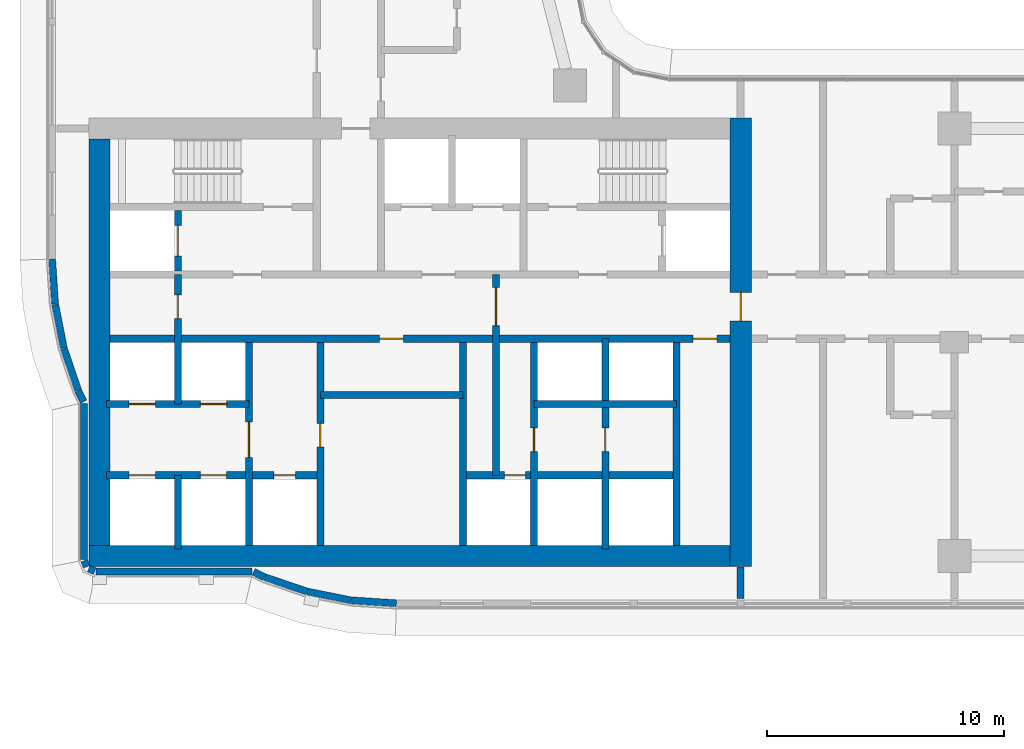
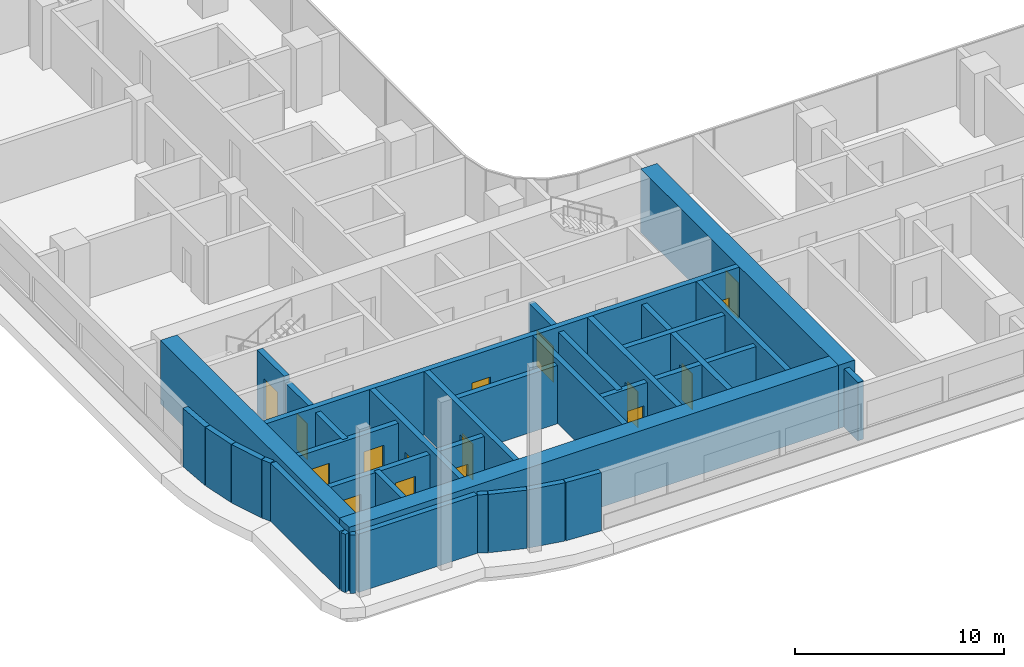
# One storey, part 17 of 36: 32 walls, 16 doors, 16 openings.
"""IFC4 building model written with IfcOpenShell, lengths in metres."""

from ifc_helpers import new_model, si_unit, direction, frame, frame_2d, origin, place, context, subcontext, project, spatial, rectangle, extrude, material, layer, layer_set, type_object, element, fill, save


model = new_model("IFC4")

# Units and contexts
model_context = context("Model", 3, precision=1e-05, world=origin(), true_north=direction((0.0, 1.0)))
body_context = subcontext(model_context, "Body", "Model", "MODEL_VIEW")
ifc_project = project(units=[si_unit("LENGTHUNIT", "METRE"), si_unit("AREAUNIT", "SQUARE_METRE"), si_unit("VOLUMEUNIT", "CUBIC_METRE"), si_unit("PLANEANGLEUNIT", "RADIAN"), si_unit("MASSUNIT", "GRAM", prefix="KILO")], contexts=[model_context])

# Site, building, storey
site_placement = place(None, origin())
site = spatial("IfcSite", under=ifc_project, at=site_placement, CompositionType="ELEMENT")
building_placement = place(site_placement, origin())
building = spatial("IfcBuilding", under=site, at=building_placement, Name="Ogive Portal Towers", CompositionType="ELEMENT")
storey_placement = place(building_placement, frame((0.0, 0.0, 52.0)))
storey = spatial("IfcBuildingStorey", under=building, at=storey_placement, Name="L11", CompositionType="ELEMENT", Elevation=52.0)

# Wall, opening, door
ifc_material_1 = material(Name="Concrete C60/75", Category="concrete")
ifc_layer_1 = layer(ifc_material_1, 0.300048828125)
ifc_layer_set_1 = layer_set([ifc_layer_1], Name="CORE WALL 300 C60")
wall_type_1 = type_object("IfcWallType", Name="CORE WALL 300 C60", PredefinedType="SHEAR", material=ifc_layer_set_1)
wall_1_placement = place(storey_placement, frame((37.800048828125, 21.949951171875, 0.0), z_axis=(0.0, 0.0, 1.0), x_axis=(0.0, 1.0, 0.0)))
wall_1 = element("IfcWall", 1, at=wall_1_placement, inside=storey, type_object=wall_type_1, Name="Core wall X1 L11", PredefinedType="SHEAR", context=body_context, shape_type="SweptSolid", body=[
    extrude(rectangle(XDim=8.550048828125, YDim=0.300048828125, at=frame_2d((4.27490234375, 0.0))), origin(), (0.0, 0.0, 1.0), 3.699951171875),
])
opening_1_placement = place(wall_1_placement, frame((3.699951171875, 0.0, 0.0)))
opening_1 = element("IfcOpeningElement", 2, at=opening_1_placement, cuts=wall_1, Name="Opening D03-002", PredefinedType="OPENING", context=body_context, shape_type="SweptSolid", body=[
    extrude(rectangle(XDim=1.5, YDim=2.10009765625, at=frame_2d((0.75, 1.050048828125))), frame((0.0, 0.16015625, 0.0), z_axis=(0.0, -1.0, 0.0), x_axis=(1.0, 0.0, 0.0)), (0.0, 0.0, 1.0), 0.320068359375),
])
ifc_material_2 = material(Name="Steel fire door", Category="steel")
door_type_1 = type_object("IfcDoorType", Name="DT-SWING-1500x2100-FD90S", OperationType="SINGLE_SWING_LEFT", PredefinedType="DOOR", material=ifc_material_2)
door_1_placement = place(opening_1_placement, origin())
door_1 = element("IfcDoor", 3, at=door_1_placement, inside=storey, type_object=door_type_1, Name="Door D03-002", OperationType="SINGLE_SWING_LEFT", OverallHeight=2.10009765625, OverallWidth=1.5, PredefinedType="DOOR", context=body_context, shape_type="SweptSolid", body=[
    extrude(rectangle(XDim=1.5, YDim=2.10009765625, at=frame_2d((0.75, 1.050048828125))), frame((0.0, 0.02490234375, 0.0), z_axis=(0.0, -1.0, 0.0), x_axis=(1.0, 0.0, 0.0)), (0.0, 0.0, 1.0), 0.050048828125),
])
fill(opening_1, door_1)

wall_2_placement = place(storey_placement, frame((40.800048828125, 21.949951171875, 0.0), z_axis=(0.0, 0.0, 1.0), x_axis=(0.0, 1.0, 0.0)))
wall_2 = element("IfcWall", 4, at=wall_2_placement, inside=storey, type_object=wall_type_1, Name="Core wall X2 L11", PredefinedType="SHEAR", context=body_context, shape_type="SweptSolid", body=[
    extrude(rectangle(XDim=8.550048828125, YDim=0.300048828125, at=frame_2d((4.27490234375, 0.0))), origin(), (0.0, 0.0, 1.0), 3.699951171875),
])
opening_2_placement = place(wall_2_placement, frame((4.137939453125, 0.0, 0.0)))
opening_2 = element("IfcOpeningElement", 5, at=opening_2_placement, cuts=wall_2, Name="Opening D03-022", PredefinedType="OPENING", context=body_context, shape_type="SweptSolid", body=[
    extrude(rectangle(XDim=1.0, YDim=2.10009765625, at=frame_2d((0.5, 1.050048828125))), frame((0.0, 0.16015625, 0.0), z_axis=(0.0, -1.0, 0.0), x_axis=(1.0, 0.0, 0.0)), (0.0, 0.0, 1.0), 0.320068359375),
])
door_type_2 = type_object("IfcDoorType", Name="DT-SWING-1000x2100-FD90S", OperationType="SINGLE_SWING_LEFT", PredefinedType="DOOR", material=ifc_material_2)
door_2_placement = place(opening_2_placement, origin())
door_2 = element("IfcDoor", 6, at=door_2_placement, inside=storey, type_object=door_type_2, Name="Door D03-022", OperationType="SINGLE_SWING_RIGHT", OverallHeight=2.10009765625, OverallWidth=1.0, PredefinedType="DOOR", context=body_context, shape_type="SweptSolid", body=[
    extrude(rectangle(XDim=1.0, YDim=2.10009765625, at=frame_2d((0.5, 1.050048828125))), frame((0.0, 0.02490234375, 0.0), z_axis=(0.0, -1.0, 0.0), x_axis=(1.0, 0.0, 0.0)), (0.0, 0.0, 1.0), 0.050048828125),
])
fill(opening_2, door_2)

# Wall
wall_3_placement = place(storey_placement, frame((46.800048828125, 21.949951171875, 0.0), z_axis=(0.0, 0.0, 1.0), x_axis=(0.0, 1.0, 0.0)))
element("IfcWall", 7, at=wall_3_placement, inside=storey, type_object=wall_type_1, Name="Core wall X3 L11", PredefinedType="SHEAR", context=body_context, shape_type="SweptSolid", body=[
    extrude(rectangle(XDim=8.550048828125, YDim=0.300048828125, at=frame_2d((4.27490234375, 0.0))), origin(), (0.0, 0.0, 1.0), 3.699951171875),
])

# Wall, opening, door
wall_4_placement = place(storey_placement, frame((49.800048828125, 21.949951171875, 0.0), z_axis=(0.0, 0.0, 1.0), x_axis=(0.0, 1.0, 0.0)))
wall_4 = element("IfcWall", 8, at=wall_4_placement, inside=storey, type_object=wall_type_1, Name="Core wall X4 L11", PredefinedType="SHEAR", context=body_context, shape_type="SweptSolid", body=[
    extrude(rectangle(XDim=8.550048828125, YDim=0.300048828125, at=frame_2d((4.27490234375, 0.0))), origin(), (0.0, 0.0, 1.0), 3.699951171875),
])
opening_3_placement = place(wall_4_placement, frame((3.949951171875, 0.0, 0.0)))
opening_3 = element("IfcOpeningElement", 9, at=opening_3_placement, cuts=wall_4, Name="Opening D03-023", PredefinedType="OPENING", context=body_context, shape_type="SweptSolid", body=[
    extrude(rectangle(XDim=1.0, YDim=2.10009765625, at=frame_2d((0.5, 1.050048828125))), frame((0.0, 0.16015625, 0.0), z_axis=(0.0, -1.0, 0.0), x_axis=(1.0, 0.0, 0.0)), (0.0, 0.0, 1.0), 0.320068359375),
])
door_3_placement = place(opening_3_placement, origin())
door_3 = element("IfcDoor", 10, at=door_3_placement, inside=storey, type_object=door_type_2, Name="Door D03-023", OperationType="SINGLE_SWING_LEFT", OverallHeight=2.10009765625, OverallWidth=1.0, PredefinedType="DOOR", context=body_context, shape_type="SweptSolid", body=[
    extrude(rectangle(XDim=1.0, YDim=2.10009765625, at=frame_2d((0.5, 1.050048828125))), frame((0.0, 0.02490234375, 0.0), z_axis=(0.0, -1.0, 0.0), x_axis=(1.0, 0.0, 0.0)), (0.0, 0.0, 1.0), 0.050048828125),
])
fill(opening_3, door_3)

# Wall
wall_5_placement = place(storey_placement, frame((55.800048828125, 21.949951171875, 0.0), z_axis=(0.0, 0.0, 1.0), x_axis=(0.0, 1.0, 0.0)))
element("IfcWall", 11, at=wall_5_placement, inside=storey, type_object=wall_type_1, Name="Core wall X5 L11", PredefinedType="SHEAR", context=body_context, shape_type="SweptSolid", body=[
    extrude(rectangle(XDim=8.550048828125, YDim=0.300048828125, at=frame_2d((4.27490234375, 0.0))), origin(), (0.0, 0.0, 1.0), 3.699951171875),
])

# Wall, openings, doors
wall_6_placement = place(storey_placement, frame((31.949951171875, 30.64990234375, 0.0), z_axis=(0.0, 0.0, 1.0), x_axis=(1.0, 0.0, 0.0)))
wall_6 = element("IfcWall", 12, at=wall_6_placement, inside=storey, type_object=wall_type_1, Name="Core wall Y1 L11", PredefinedType="SHEAR", context=body_context, shape_type="SweptSolid", body=[
    extrude(rectangle(XDim=26.10009765625, YDim=0.300048828125, at=frame_2d((13.050048828125, 0.0))), origin(), (0.0, 0.0, 1.0), 3.699951171875),
])
opening_4_placement = place(wall_6_placement, frame((24.550048828125, 0.0, 0.0)))
opening_4 = element("IfcOpeningElement", 13, at=opening_4_placement, cuts=wall_6, Name="Opening D03-010", PredefinedType="OPENING", context=body_context, shape_type="SweptSolid", body=[
    extrude(rectangle(XDim=1.0, YDim=2.10009765625, at=frame_2d((0.5, 1.050048828125))), frame((0.0, 0.16015625, 0.0), z_axis=(0.0, -1.0, 0.0), x_axis=(1.0, 0.0, 0.0)), (0.0, 0.0, 1.0), 0.320068359375),
])
opening_5_placement = place(wall_6_placement, frame((11.35009765625, 0.0, 0.0)))
opening_5 = element("IfcOpeningElement", 14, at=opening_5_placement, cuts=wall_6, Name="Opening D03-021", PredefinedType="OPENING", context=body_context, shape_type="SweptSolid", body=[
    extrude(rectangle(XDim=1.0, YDim=2.10009765625, at=frame_2d((0.5, 1.050048828125))), frame((0.0, 0.16015625, 0.0), z_axis=(0.0, -1.0, 0.0), x_axis=(1.0, 0.0, 0.0)), (0.0, 0.0, 1.0), 0.320068359375),
])
door_4_placement = place(opening_4_placement, origin())
door_4 = element("IfcDoor", 15, at=door_4_placement, inside=storey, type_object=door_type_2, Name="Door D03-010", OperationType="SINGLE_SWING_LEFT", OverallHeight=2.10009765625, OverallWidth=1.0, PredefinedType="DOOR", context=body_context, shape_type="SweptSolid", body=[
    extrude(rectangle(XDim=1.0, YDim=2.10009765625, at=frame_2d((0.5, 1.050048828125))), frame((0.0, 0.02490234375, 0.0), z_axis=(0.0, -1.0, 0.0), x_axis=(1.0, 0.0, 0.0)), (0.0, 0.0, 1.0), 0.050048828125),
])
fill(opening_4, door_4)
door_5_placement = place(opening_5_placement, origin())
door_5 = element("IfcDoor", 16, at=door_5_placement, inside=storey, type_object=door_type_2, Name="Riser access door D03-021", OperationType="SINGLE_SWING_LEFT", OverallHeight=2.10009765625, OverallWidth=1.0, PredefinedType="DOOR", context=body_context, shape_type="SweptSolid", body=[
    extrude(rectangle(XDim=1.0, YDim=2.10009765625, at=frame_2d((0.5, 1.050048828125))), frame((0.0, 0.02490234375, 0.0), z_axis=(0.0, -1.0, 0.0), x_axis=(1.0, 0.0, 0.0)), (0.0, 0.0, 1.0), 0.050048828125),
])
fill(opening_5, door_5)

# Wall, opening, door
wall_7_placement = place(storey_placement, frame((34.800048828125, 33.5, 0.0), z_axis=(0.0, 0.0, 1.0), x_axis=(0.0, 1.0, 0.0)))
wall_7 = element("IfcWall", 17, at=wall_7_placement, inside=storey, type_object=wall_type_1, Name="Core wall X8 L11", PredefinedType="SHEAR", context=body_context, shape_type="SweptSolid", body=[
    extrude(rectangle(XDim=2.550048828125, YDim=0.300048828125, at=frame_2d((1.27490234375, 0.0))), origin(), (0.0, 0.0, 1.0), 3.699951171875),
])
opening_6_placement = place(wall_7_placement, frame((0.625, 0.0, 0.0)))
opening_6 = element("IfcOpeningElement", 18, at=opening_6_placement, cuts=wall_7, Name="Opening D03-019", PredefinedType="OPENING", context=body_context, shape_type="SweptSolid", body=[
    extrude(rectangle(XDim=1.300048828125, YDim=2.39990234375, at=frame_2d((0.64990234375, 1.199951171875))), frame((0.0, 0.16015625, 0.0), z_axis=(0.0, -1.0, 0.0), x_axis=(1.0, 0.0, 0.0)), (0.0, 0.0, 1.0), 0.320068359375),
])
ifc_material_3 = material(Name="Stainless steel", Category="steel")
door_type_3 = type_object("IfcDoorType", Name="DT-LD-1300x2400", OperationType="SLIDING_TO_LEFT", PredefinedType="DOOR", material=ifc_material_3)
door_6_placement = place(opening_6_placement, origin())
door_6 = element("IfcDoor", 19, at=door_6_placement, inside=storey, type_object=door_type_3, Name="Door D03-019", OperationType="SLIDING_TO_LEFT", OverallHeight=2.39990234375, OverallWidth=1.300048828125, PredefinedType="DOOR", context=body_context, shape_type="SweptSolid", body=[
    extrude(rectangle(XDim=1.300048828125, YDim=2.39990234375, at=frame_2d((0.64990234375, 1.199951171875))), frame((0.0, 0.02490234375, 0.0), z_axis=(0.0, -1.0, 0.0), x_axis=(1.0, 0.0, 0.0)), (0.0, 0.0, 1.0), 0.050048828125),
])
fill(opening_6, door_6)

# Walls
ifc_layer_2 = layer(ifc_material_1, 0.89990234375)
ifc_layer_set_2 = layer_set([ifc_layer_2], Name="CORE WALL 900 C60")
wall_type_2 = type_object("IfcWallType", Name="CORE WALL 900 C60", PredefinedType="SHEAR", material=ifc_layer_set_2)
wall_8_placement = place(storey_placement, frame((31.5, 21.949951171875, 0.0), z_axis=(0.0, 0.0, 1.0), x_axis=(0.0, 1.0, 0.0)))
element("IfcWall", 20, at=wall_8_placement, inside=storey, type_object=wall_type_2, Name="Core wall W L11", PredefinedType="SHEAR", context=body_context, shape_type="SweptSolid", body=[
    extrude(rectangle(XDim=17.10009765625, YDim=0.89990234375, at=frame_2d((8.550048828125, 0.0))), origin(), (0.0, 0.0, 1.0), 3.699951171875),
])
wall_9_placement = place(storey_placement, frame((31.050048828125, 21.5, 0.0), z_axis=(0.0, 0.0, 1.0), x_axis=(1.0, 0.0, 0.0)))
element("IfcWall", 21, at=wall_9_placement, inside=storey, type_object=wall_type_2, Name="Core wall S L11", PredefinedType="SHEAR", context=body_context, shape_type="SweptSolid", body=[
    extrude(rectangle(XDim=27.0, YDim=0.89990234375, at=frame_2d((13.5, 0.0))), origin(), (0.0, 0.0, 1.0), 3.699951171875),
])

# Wall, opening, door
wall_10_placement = place(storey_placement, frame((58.5, 21.050048828125, 0.0), z_axis=(0.0, 0.0, 1.0), x_axis=(0.0, 1.0, 0.0)))
wall_10 = element("IfcWall", 22, at=wall_10_placement, inside=storey, type_object=wall_type_2, Name="Core wall E L11", PredefinedType="SHEAR", context=body_context, shape_type="SweptSolid", body=[
    extrude(rectangle(XDim=18.89990234375, YDim=0.89990234375, at=frame_2d((9.449951171875, 0.0))), origin(), (0.0, 0.0, 1.0), 3.699951171875),
])
opening_7_placement = place(wall_10_placement, frame((10.35009765625, 0.0, 0.0)))
opening_7 = element("IfcOpeningElement", 23, at=opening_7_placement, cuts=wall_10, Name="Opening D03-011", PredefinedType="OPENING", context=body_context, shape_type="SweptSolid", body=[
    extrude(rectangle(XDim=1.199951171875, YDim=2.10009765625, at=frame_2d((0.60009765625, 1.050048828125))), frame((0.0, 0.4599609375, 0.0), z_axis=(0.0, -1.0, 0.0), x_axis=(1.0, 0.0, 0.0)), (0.0, 0.0, 1.0), 0.919921875),
])
door_type_4 = type_object("IfcDoorType", Name="DT-SWING-1200x2100-FD90S", OperationType="SINGLE_SWING_LEFT", PredefinedType="DOOR", material=ifc_material_2)
door_7_placement = place(opening_7_placement, origin())
door_7 = element("IfcDoor", 24, at=door_7_placement, inside=storey, type_object=door_type_4, Name="Door D03-011", OperationType="SINGLE_SWING_LEFT", OverallHeight=2.10009765625, OverallWidth=1.199951171875, PredefinedType="DOOR", context=body_context, shape_type="SweptSolid", body=[
    extrude(rectangle(XDim=1.199951171875, YDim=2.10009765625, at=frame_2d((0.60009765625, 1.050048828125))), frame((0.0, 0.02490234375, 0.0), z_axis=(0.0, -1.0, 0.0), x_axis=(1.0, 0.0, 0.0)), (0.0, 0.0, 1.0), 0.050048828125),
])
fill(opening_7, door_7)

# Walls
ifc_material_4 = material(Name="Limestone cladding on lightweight block wall", Category="masonry")
ifc_layer_3 = layer(ifc_material_4, 0.300048828125)
ifc_layer_set_3 = layer_set([ifc_layer_3], Name="EXTERNAL WALL 300 STONE")
wall_type_3 = type_object("IfcWallType", Name="EXTERNAL WALL 300 STONE", PredefinedType="SOLIDWALL", material=ifc_layer_set_3)
wall_11_placement = place(storey_placement, frame((30.85009765625, 27.9287109375, 0.0), z_axis=(0.0, 0.0, 1.0), x_axis=(0.0, -1.0, 0.0)))
element("IfcWall", 25, at=wall_11_placement, inside=storey, type_object=wall_type_3, Name="A:L11:f00:r0:wall", PredefinedType="SOLIDWALL", context=body_context, shape_type="SweptSolid", body=[
    extrude(rectangle(XDim=6.569091796875, YDim=0.300048828125, at=frame_2d((3.28466796875, 0.0))), origin(), (0.0, 0.0, 1.0), 3.39990234375),
])
for number, where, z_axis, x_axis, name in (
    (26, (30.861328125, 21.30224609375, 0.0), (0.0, 0.0, 1.0), (0.38297812142, -0.923757413239, 0.0), "A:L11:f01:r0:wall"),
    (27, (31.0478515625, 20.966796875, 0.0), (0.0, 0.0, 1.0), (0.923757413239, -0.38297812142, 0.0), "A:L11:f02:r0:wall"),
):
    element("IfcWall", number, at=place(storey_placement, frame(where, z_axis=z_axis, x_axis=x_axis)), inside=storey, type_object=wall_type_3, Name=name, PredefinedType="SOLIDWALL", context=body_context, shape_type="SweptSolid", body=[
        extrude(rectangle(XDim=0.275390625, YDim=0.300048828125, at=frame_2d((0.1376953125, 0.0))), origin(), (0.0, 0.0, 1.0), 3.39990234375),
    ])
wall_12_placement = place(storey_placement, frame((31.359619140625, 20.85009765625, 0.0), z_axis=(0.0, 0.0, 1.0), x_axis=(1.0, 0.0, 0.0)))
element("IfcWall", 28, at=wall_12_placement, inside=storey, type_object=wall_type_3, Name="A:L11:f03:r0:wall", PredefinedType="SOLIDWALL", context=body_context, shape_type="SweptSolid", body=[
    extrude(rectangle(XDim=6.569091796875, YDim=0.300048828125, at=frame_2d((3.28466796875, 0.0))), origin(), (0.0, 0.0, 1.0), 3.39990234375),
])
wall_13_placement = place(storey_placement, frame((37.9951171875, 20.83447265625, 0.0), z_axis=(0.0, 0.0, 1.0), x_axis=(0.896947675211, -0.442136707291, 0.0)))
element("IfcWall", 29, at=wall_13_placement, inside=storey, type_object=wall_type_3, Name="A:L11:f04:r0:wall", PredefinedType="SOLIDWALL", context=body_context, shape_type="SweptSolid", body=[
    extrude(rectangle(XDim=0.500732421875, YDim=0.300048828125, at=frame_2d((0.25048828125, 0.0))), origin(), (0.0, 0.0, 1.0), 3.39990234375),
])
for number, where, z_axis, x_axis, name in (
    (30, (38.46240234375, 20.60546875, 0.0), (0.0, 0.0, 1.0), (0.946951833826, -0.321375519312, 0.0), "A:L11:f05:r0:wall"),
    (31, (40.258056640625, 19.997314453125, 0.0), (0.0, 0.0, 1.0), (0.980795273054, -0.195040078842, 0.0), "A:L11:f06:r0:wall"),
):
    element("IfcWall", number, at=place(storey_placement, frame(where, z_axis=z_axis, x_axis=x_axis)), inside=storey, type_object=wall_type_3, Name=name, PredefinedType="SOLIDWALL", context=body_context, shape_type="SweptSolid", body=[
        extrude(rectangle(XDim=1.87646484375, YDim=0.300048828125, at=frame_2d((0.938232421875, 0.0))), origin(), (0.0, 0.0, 1.0), 3.39990234375),
    ])
for number, where, z_axis, x_axis, name in (
    (32, (42.117919921875, 19.628662109375, 0.0), (0.0, 0.0, 1.0), (0.997861241975, -0.065367742534, 0.0), "A:L11:f07:r0:wall"),
    (33, (29.50537109375, 34.0, 0.0), (0.0, 0.0, 1.0), (0.065367742534, -0.997861241975, 0.0), "A:L11:f29:r0:wall"),
):
    element("IfcWall", number, at=place(storey_placement, frame(where, z_axis=z_axis, x_axis=x_axis)), inside=storey, type_object=wall_type_3, Name=name, PredefinedType="SOLIDWALL", context=body_context, shape_type="SweptSolid", body=[
        extrude(rectangle(XDim=1.88623046875, YDim=0.300048828125, at=frame_2d((0.943115234375, 0.0))), origin(), (0.0, 0.0, 1.0), 3.39990234375),
    ])
for number, where, z_axis, x_axis, name in (
    (34, (29.63134765625, 32.098388671875, 0.0), (0.0, 0.0, 1.0), (0.195040078842, -0.980795273054, 0.0), "A:L11:f30:r0:wall"),
    (35, (30.00244140625, 30.2392578125, 0.0), (0.0, 0.0, 1.0), (0.321375519312, -0.946951833826, 0.0), "A:L11:f31:r0:wall"),
):
    element("IfcWall", number, at=place(storey_placement, frame(where, z_axis=z_axis, x_axis=x_axis)), inside=storey, type_object=wall_type_3, Name=name, PredefinedType="SOLIDWALL", context=body_context, shape_type="SweptSolid", body=[
        extrude(rectangle(XDim=1.87646484375, YDim=0.300048828125, at=frame_2d((0.938232421875, 0.0))), origin(), (0.0, 0.0, 1.0), 3.39990234375),
    ])
wall_14_placement = place(storey_placement, frame((30.613037109375, 28.4443359375, 0.0), z_axis=(0.0, 0.0, 1.0), x_axis=(0.442136707291, -0.896947675211, 0.0)))
element("IfcWall", 36, at=wall_14_placement, inside=storey, type_object=wall_type_3, Name="A:L11:f32:r0:wall", PredefinedType="SOLIDWALL", context=body_context, shape_type="SweptSolid", body=[
    extrude(rectangle(XDim=0.500732421875, YDim=0.300048828125, at=frame_2d((0.25048828125, 0.0))), origin(), (0.0, 0.0, 1.0), 3.39990234375),
])
ifc_material_5 = material(Name="Gypsum board partition on steel studs", Category="steel")
ifc_layer_4 = layer(ifc_material_5, 0.300048828125)
ifc_layer_set_4 = layer_set([ifc_layer_4], Name="WT-PART-300")
wall_type_4 = type_object("IfcWallType", Name="WT-PART-300", PredefinedType="PARTITIONING", material=ifc_layer_set_4)
wall_15_placement = place(storey_placement, frame((40.800048828125, 28.277099609375, 0.0), z_axis=(0.0, 0.0, 1.0), x_axis=(1.0, 0.0, 0.0)))
element("IfcWall", 37, at=wall_15_placement, inside=storey, type_object=wall_type_4, Name="Wall pw:005:L11", PredefinedType="PARTITIONING", context=body_context, shape_type="SweptSolid", body=[
    extrude(rectangle(XDim=6.0, YDim=0.300048828125, at=frame_2d((3.0, 0.0))), origin(), (0.0, 0.0, 1.0), 3.39990234375),
])

# Wall, opening, door
wall_16_placement = place(storey_placement, frame((48.199951171875, 24.89990234375, 0.0), z_axis=(0.0, 0.0, 1.0), x_axis=(0.0, 1.0, 0.0)))
wall_16 = element("IfcWall", 38, at=wall_16_placement, inside=storey, type_object=wall_type_4, Name="Wall pw:010:L11", PredefinedType="PARTITIONING", context=body_context, shape_type="SweptSolid", body=[
    extrude(rectangle(XDim=8.4501953125, YDim=0.300048828125, at=frame_2d((4.22509765625, 0.0))), origin(), (0.0, 0.0, 1.0), 3.39990234375),
])
opening_8_placement = place(wall_16_placement, frame((6.300048828125, 0.0, 0.0)))
opening_8 = element("IfcOpeningElement", 39, at=opening_8_placement, cuts=wall_16, Name="Opening D03-001", PredefinedType="OPENING", context=body_context, shape_type="SweptSolid", body=[
    extrude(rectangle(XDim=1.60009765625, YDim=2.10009765625, at=frame_2d((0.800048828125, 1.050048828125))), frame((0.0, 0.16015625, 0.0), z_axis=(0.0, -1.0, 0.0), x_axis=(1.0, 0.0, 0.0)), (0.0, 0.0, 1.0), 0.320068359375),
])
door_type_5 = type_object("IfcDoorType", Name="DT-SWING-1600x2100-FD60S", OperationType="SINGLE_SWING_LEFT", PredefinedType="DOOR", material=ifc_material_2)
door_8_placement = place(opening_8_placement, origin())
door_8 = element("IfcDoor", 40, at=door_8_placement, inside=storey, type_object=door_type_5, Name="Door D03-001", OperationType="SINGLE_SWING_LEFT", OverallHeight=2.10009765625, OverallWidth=1.60009765625, PredefinedType="DOOR", context=body_context, shape_type="SweptSolid", body=[
    extrude(rectangle(XDim=1.60009765625, YDim=2.10009765625, at=frame_2d((0.800048828125, 1.050048828125))), frame((0.0, 0.02490234375, 0.0), z_axis=(0.0, -1.0, 0.0), x_axis=(1.0, 0.0, 0.0)), (0.0, 0.0, 1.0), 0.050048828125),
])
fill(opening_8, door_8)

# Wall
ifc_layer_5 = layer(ifc_material_5, 0.300048828125)
ifc_layer_set_5 = layer_set([ifc_layer_5], Name="WT-PART-300-EI 60")
wall_type_5 = type_object("IfcWallType", Name="WT-PART-300-EI 60", PredefinedType="PARTITIONING", material=ifc_layer_set_5)
wall_17_placement = place(storey_placement, frame((58.5, 19.705078125, 0.0), z_axis=(0.0, 0.0, 1.0), x_axis=(0.0, 1.0, 0.0)))
element("IfcWall", 41, at=wall_17_placement, inside=storey, type_object=wall_type_5, Name="Wall L11:w043", PredefinedType="PARTITIONING", context=body_context, shape_type="SweptSolid", body=[
    extrude(rectangle(XDim=1.324951171875, YDim=0.300048828125, at=frame_2d((0.66259765625, 0.0))), origin(), (0.0, 0.0, 1.0), 3.39990234375),
])

# Wall, openings, doors
ifc_material_6 = material(Name="Concrete C40/50", Category="concrete")
ifc_layer_6 = layer(ifc_material_6, 0.300048828125)
ifc_layer_set_6 = layer_set([ifc_layer_6], Name="WT-SHAFT-300")
wall_type_6 = type_object("IfcWallType", Name="WT-SHAFT-300", PredefinedType="SOLIDWALL", material=ifc_layer_set_6)
wall_18_placement = place(storey_placement, frame((31.800048828125, 24.89990234375, 0.0), z_axis=(0.0, 0.0, 1.0), x_axis=(1.0, 0.0, 0.0)))
wall_18 = element("IfcWall", 42, at=wall_18_placement, inside=storey, type_object=wall_type_6, Name="Wall pw:001:L11", PredefinedType="SOLIDWALL", context=body_context, shape_type="SweptSolid", body=[
    extrude(rectangle(XDim=9.0, YDim=0.300048828125, at=frame_2d((4.5, 0.0))), origin(), (0.0, 0.0, 1.0), 3.39990234375),
])
opening_9_placement = place(wall_18_placement, frame((7.050048828125, 0.0, 0.0)))
opening_9 = element("IfcOpeningElement", 43, at=opening_9_placement, cuts=wall_18, Name="Opening D03-008", PredefinedType="OPENING", context=body_context, shape_type="SweptSolid", body=[
    extrude(rectangle(XDim=0.89990234375, YDim=2.10009765625, at=frame_2d((0.449951171875, 1.050048828125))), frame((0.0, 0.16015625, 0.0), z_axis=(0.0, -1.0, 0.0), x_axis=(1.0, 0.0, 0.0)), (0.0, 0.0, 1.0), 0.320068359375),
])
opening_10_placement = place(wall_18_placement, frame((0.949951171875, 0.0, 0.0)))
opening_10 = element("IfcOpeningElement", 44, at=opening_10_placement, cuts=wall_18, Name="Opening D03-013", PredefinedType="OPENING", context=body_context, shape_type="SweptSolid", body=[
    extrude(rectangle(XDim=1.10009765625, YDim=2.39990234375, at=frame_2d((0.550048828125, 1.199951171875))), frame((0.0, 0.16015625, 0.0), z_axis=(0.0, -1.0, 0.0), x_axis=(1.0, 0.0, 0.0)), (0.0, 0.0, 1.0), 0.320068359375),
])
opening_11_placement = place(wall_18_placement, frame((3.949951171875, 0.0, 0.0)))
opening_11 = element("IfcOpeningElement", 45, at=opening_11_placement, cuts=wall_18, Name="Opening D03-014", PredefinedType="OPENING", context=body_context, shape_type="SweptSolid", body=[
    extrude(rectangle(XDim=1.10009765625, YDim=2.39990234375, at=frame_2d((0.550048828125, 1.199951171875))), frame((0.0, 0.16015625, 0.0), z_axis=(0.0, -1.0, 0.0), x_axis=(1.0, 0.0, 0.0)), (0.0, 0.0, 1.0), 0.320068359375),
])
door_type_6 = type_object("IfcDoorType", Name="DT-LD-1100x2400", OperationType="SLIDING_TO_LEFT", PredefinedType="DOOR", material=ifc_material_3)
door_9_placement = place(opening_10_placement, origin())
door_9 = element("IfcDoor", 46, at=door_9_placement, inside=storey, type_object=door_type_6, Name="Door D03-013", OperationType="SLIDING_TO_LEFT", OverallHeight=2.39990234375, OverallWidth=1.10009765625, PredefinedType="DOOR", context=body_context, shape_type="SweptSolid", body=[
    extrude(rectangle(XDim=1.10009765625, YDim=2.39990234375, at=frame_2d((0.550048828125, 1.199951171875))), frame((0.0, 0.02490234375, 0.0), z_axis=(0.0, -1.0, 0.0), x_axis=(1.0, 0.0, 0.0)), (0.0, 0.0, 1.0), 0.050048828125),
])
fill(opening_10, door_9)
door_10_placement = place(opening_11_placement, origin())
door_10 = element("IfcDoor", 47, at=door_10_placement, inside=storey, type_object=door_type_6, Name="Door D03-014", OperationType="SLIDING_TO_LEFT", OverallHeight=2.39990234375, OverallWidth=1.10009765625, PredefinedType="DOOR", context=body_context, shape_type="SweptSolid", body=[
    extrude(rectangle(XDim=1.10009765625, YDim=2.39990234375, at=frame_2d((0.550048828125, 1.199951171875))), frame((0.0, 0.02490234375, 0.0), z_axis=(0.0, -1.0, 0.0), x_axis=(1.0, 0.0, 0.0)), (0.0, 0.0, 1.0), 0.050048828125),
])
fill(opening_11, door_10)
door_type_7 = type_object("IfcDoorType", Name="DT-SWING-900x2100-FD90S", OperationType="SINGLE_SWING_LEFT", PredefinedType="DOOR", material=ifc_material_2)
door_11_placement = place(opening_9_placement, origin())
door_11 = element("IfcDoor", 48, at=door_11_placement, inside=storey, type_object=door_type_7, Name="Riser access door D03-008", OperationType="SINGLE_SWING_LEFT", OverallHeight=2.10009765625, OverallWidth=0.89990234375, PredefinedType="DOOR", context=body_context, shape_type="SweptSolid", body=[
    extrude(rectangle(XDim=0.89990234375, YDim=2.10009765625, at=frame_2d((0.449951171875, 1.050048828125))), frame((0.0, 0.02490234375, 0.0), z_axis=(0.0, -1.0, 0.0), x_axis=(1.0, 0.0, 0.0)), (0.0, 0.0, 1.0), 0.050048828125),
])
fill(opening_9, door_11)

# Wall, opening, door
wall_19_placement = place(storey_placement, frame((46.800048828125, 24.89990234375, 0.0), z_axis=(0.0, 0.0, 1.0), x_axis=(1.0, 0.0, 0.0)))
wall_19 = element("IfcWall", 49, at=wall_19_placement, inside=storey, type_object=wall_type_6, Name="Wall pw:002:L11", PredefinedType="SOLIDWALL", context=body_context, shape_type="SweptSolid", body=[
    extrude(rectangle(XDim=9.0, YDim=0.300048828125, at=frame_2d((4.5, 0.0))), origin(), (0.0, 0.0, 1.0), 3.39990234375),
])
opening_12_placement = place(wall_19_placement, frame((1.75, 0.0, 0.0)))
opening_12 = element("IfcOpeningElement", 50, at=opening_12_placement, cuts=wall_19, Name="Opening D03-009", PredefinedType="OPENING", context=body_context, shape_type="SweptSolid", body=[
    extrude(rectangle(XDim=0.89990234375, YDim=2.10009765625, at=frame_2d((0.449951171875, 1.050048828125))), frame((0.0, 0.16015625, 0.0), z_axis=(0.0, -1.0, 0.0), x_axis=(1.0, 0.0, 0.0)), (0.0, 0.0, 1.0), 0.320068359375),
])
door_12_placement = place(opening_12_placement, origin())
door_12 = element("IfcDoor", 51, at=door_12_placement, inside=storey, type_object=door_type_7, Name="Riser access door D03-009", OperationType="SINGLE_SWING_RIGHT", OverallHeight=2.10009765625, OverallWidth=0.89990234375, PredefinedType="DOOR", context=body_context, shape_type="SweptSolid", body=[
    extrude(rectangle(XDim=0.89990234375, YDim=2.10009765625, at=frame_2d((0.449951171875, 1.050048828125))), frame((0.0, 0.02490234375, 0.0), z_axis=(0.0, -1.0, 0.0), x_axis=(1.0, 0.0, 0.0)), (0.0, 0.0, 1.0), 0.050048828125),
])
fill(opening_12, door_12)

# Wall, openings, doors
wall_20_placement = place(storey_placement, frame((31.800048828125, 27.89990234375, 0.0), z_axis=(0.0, 0.0, 1.0), x_axis=(1.0, 0.0, 0.0)))
wall_20 = element("IfcWall", 52, at=wall_20_placement, inside=storey, type_object=wall_type_6, Name="Wall pw:003:L11", PredefinedType="SOLIDWALL", context=body_context, shape_type="SweptSolid", body=[
    extrude(rectangle(XDim=6.0, YDim=0.300048828125, at=frame_2d((3.0, 0.0))), origin(), (0.0, 0.0, 1.0), 3.39990234375),
])
opening_13_placement = place(wall_20_placement, frame((0.949951171875, 0.0, 0.0)))
opening_13 = element("IfcOpeningElement", 53, at=opening_13_placement, cuts=wall_20, Name="Opening D03-015", PredefinedType="OPENING", context=body_context, shape_type="SweptSolid", body=[
    extrude(rectangle(XDim=1.10009765625, YDim=2.39990234375, at=frame_2d((0.550048828125, 1.199951171875))), frame((0.0, 0.16015625, 0.0), z_axis=(0.0, -1.0, 0.0), x_axis=(1.0, 0.0, 0.0)), (0.0, 0.0, 1.0), 0.320068359375),
])
opening_14_placement = place(wall_20_placement, frame((3.949951171875, 0.0, 0.0)))
opening_14 = element("IfcOpeningElement", 54, at=opening_14_placement, cuts=wall_20, Name="Opening D03-016", PredefinedType="OPENING", context=body_context, shape_type="SweptSolid", body=[
    extrude(rectangle(XDim=1.10009765625, YDim=2.39990234375, at=frame_2d((0.550048828125, 1.199951171875))), frame((0.0, 0.16015625, 0.0), z_axis=(0.0, -1.0, 0.0), x_axis=(1.0, 0.0, 0.0)), (0.0, 0.0, 1.0), 0.320068359375),
])
door_13_placement = place(opening_13_placement, origin())
door_13 = element("IfcDoor", 55, at=door_13_placement, inside=storey, type_object=door_type_6, Name="Door D03-015", OperationType="SLIDING_TO_LEFT", OverallHeight=2.39990234375, OverallWidth=1.10009765625, PredefinedType="DOOR", context=body_context, shape_type="SweptSolid", body=[
    extrude(rectangle(XDim=1.10009765625, YDim=2.39990234375, at=frame_2d((0.550048828125, 1.199951171875))), frame((0.0, 0.02490234375, 0.0), z_axis=(0.0, -1.0, 0.0), x_axis=(1.0, 0.0, 0.0)), (0.0, 0.0, 1.0), 0.050048828125),
])
fill(opening_13, door_13)
door_14_placement = place(opening_14_placement, origin())
door_14 = element("IfcDoor", 56, at=door_14_placement, inside=storey, type_object=door_type_6, Name="Door D03-016", OperationType="SLIDING_TO_LEFT", OverallHeight=2.39990234375, OverallWidth=1.10009765625, PredefinedType="DOOR", context=body_context, shape_type="SweptSolid", body=[
    extrude(rectangle(XDim=1.10009765625, YDim=2.39990234375, at=frame_2d((0.550048828125, 1.199951171875))), frame((0.0, 0.02490234375, 0.0), z_axis=(0.0, -1.0, 0.0), x_axis=(1.0, 0.0, 0.0)), (0.0, 0.0, 1.0), 0.050048828125),
])
fill(opening_14, door_14)

# Walls
wall_21_placement = place(storey_placement, frame((49.800048828125, 27.89990234375, 0.0), z_axis=(0.0, 0.0, 1.0), x_axis=(1.0, 0.0, 0.0)))
element("IfcWall", 57, at=wall_21_placement, inside=storey, type_object=wall_type_6, Name="Wall pw:004:L11", PredefinedType="SOLIDWALL", context=body_context, shape_type="SweptSolid", body=[
    extrude(rectangle(XDim=6.0, YDim=0.300048828125, at=frame_2d((3.0, 0.0))), origin(), (0.0, 0.0, 1.0), 3.39990234375),
])
wall_22_placement = place(storey_placement, frame((34.800048828125, 21.800048828125, 0.0), z_axis=(0.0, 0.0, 1.0), x_axis=(0.0, 1.0, 0.0)))
element("IfcWall", 58, at=wall_22_placement, inside=storey, type_object=wall_type_6, Name="Wall pw:007:L11", PredefinedType="SOLIDWALL", context=body_context, shape_type="SweptSolid", body=[
    extrude(rectangle(XDim=3.099853515625, YDim=0.300048828125, at=frame_2d((1.5498046875, 0.0))), origin(), (0.0, 0.0, 1.0), 3.39990234375),
])

# Wall, opening, door
wall_23_placement = place(storey_placement, frame((34.800048828125, 27.89990234375, 0.0), z_axis=(0.0, 0.0, 1.0), x_axis=(0.0, 1.0, 0.0)))
wall_23 = element("IfcWall", 59, at=wall_23_placement, inside=storey, type_object=wall_type_6, Name="Wall pw:008:L11", PredefinedType="SOLIDWALL", context=body_context, shape_type="SweptSolid", body=[
    extrude(rectangle(XDim=5.4501953125, YDim=0.300048828125, at=frame_2d((2.72509765625, 0.0))), origin(), (0.0, 0.0, 1.0), 3.39990234375),
])
opening_15_placement = place(wall_23_placement, frame((3.60009765625, 0.0, 0.0)))
opening_15 = element("IfcOpeningElement", 60, at=opening_15_placement, cuts=wall_23, Name="Opening D03-025", PredefinedType="OPENING", context=body_context, shape_type="SweptSolid", body=[
    extrude(rectangle(XDim=1.0, YDim=2.10009765625, at=frame_2d((0.5, 1.050048828125))), frame((0.0, 0.16015625, 0.0), z_axis=(0.0, -1.0, 0.0), x_axis=(1.0, 0.0, 0.0)), (0.0, 0.0, 1.0), 0.320068359375),
])
door_15_placement = place(opening_15_placement, origin())
door_15 = element("IfcDoor", 61, at=door_15_placement, inside=storey, type_object=door_type_2, Name="Door D03-025", OperationType="SINGLE_SWING_LEFT", OverallHeight=2.10009765625, OverallWidth=1.0, PredefinedType="DOOR", context=body_context, shape_type="SweptSolid", body=[
    extrude(rectangle(XDim=1.0, YDim=2.10009765625, at=frame_2d((0.5, 1.050048828125))), frame((0.0, 0.02490234375, 0.0), z_axis=(0.0, -1.0, 0.0), x_axis=(1.0, 0.0, 0.0)), (0.0, 0.0, 1.0), 0.050048828125),
])
fill(opening_15, door_15)

wall_24_placement = place(storey_placement, frame((52.800048828125, 21.800048828125, 0.0), z_axis=(0.0, 0.0, 1.0), x_axis=(0.0, 1.0, 0.0)))
wall_24 = element("IfcWall", 62, at=wall_24_placement, inside=storey, type_object=wall_type_6, Name="Wall pw:011:L11", PredefinedType="SOLIDWALL", context=body_context, shape_type="SweptSolid", body=[
    extrude(rectangle(XDim=8.849853515625, YDim=0.300048828125, at=frame_2d((4.4248046875, 0.0))), origin(), (0.0, 0.0, 1.0), 3.39990234375),
])
opening_16_placement = place(wall_24_placement, frame((4.10009765625, 0.0, 0.0)))
opening_16 = element("IfcOpeningElement", 63, at=opening_16_placement, cuts=wall_24, Name="Opening D03-024", PredefinedType="OPENING", context=body_context, shape_type="SweptSolid", body=[
    extrude(rectangle(XDim=1.0, YDim=2.10009765625, at=frame_2d((0.5, 1.050048828125))), frame((0.0, 0.16015625, 0.0), z_axis=(0.0, -1.0, 0.0), x_axis=(1.0, 0.0, 0.0)), (0.0, 0.0, 1.0), 0.320068359375),
])
door_16_placement = place(opening_16_placement, origin())
door_16 = element("IfcDoor", 64, at=door_16_placement, inside=storey, type_object=door_type_2, Name="Door D03-024", OperationType="SINGLE_SWING_RIGHT", OverallHeight=2.10009765625, OverallWidth=1.0, PredefinedType="DOOR", context=body_context, shape_type="SweptSolid", body=[
    extrude(rectangle(XDim=1.0, YDim=2.10009765625, at=frame_2d((0.5, 1.050048828125))), frame((0.0, 0.02490234375, 0.0), z_axis=(0.0, -1.0, 0.0), x_axis=(1.0, 0.0, 0.0)), (0.0, 0.0, 1.0), 0.050048828125),
])
fill(opening_16, door_16)

save(model, "model.ifc")
